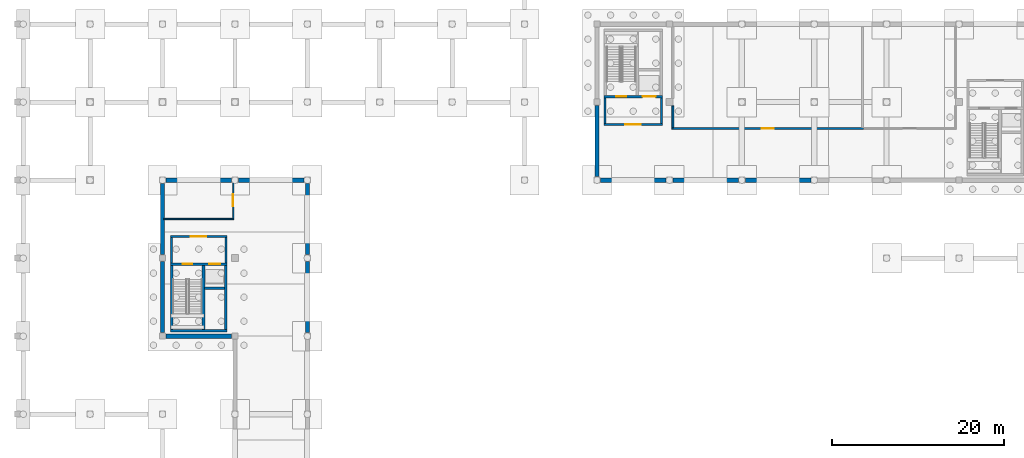
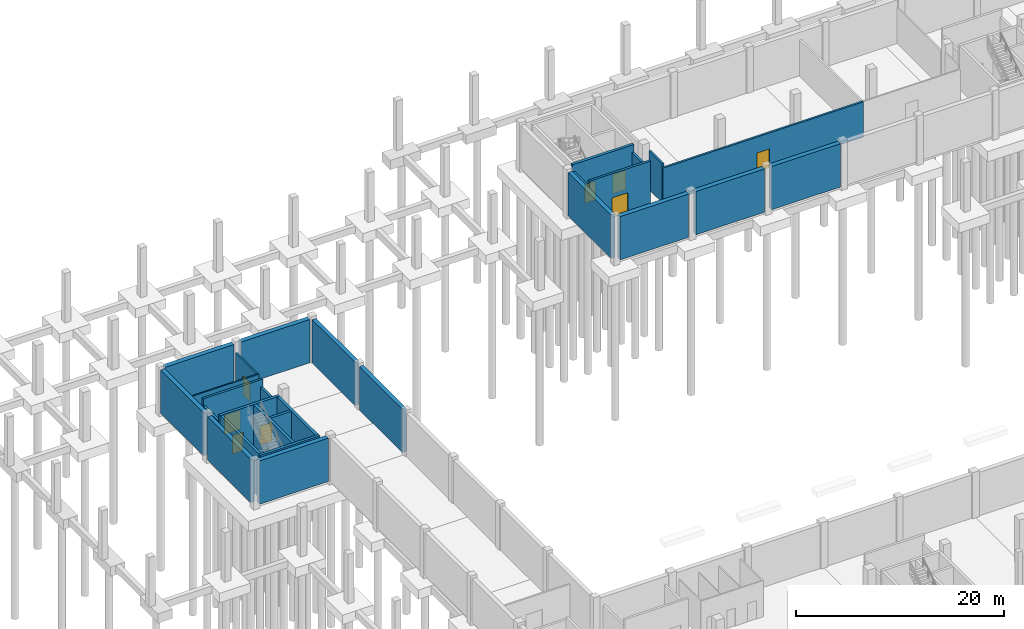
# One storey, part 9 of 18: 28 walls, 8 doors, 8 openings.
"""IFC4 building model written with IfcOpenShell, lengths in metres."""

from ifc_helpers import new_model, si_unit, direction, frame, frame_2d, origin, place, context, subcontext, project, spatial, rectangle, extrude, material, layer, layer_set, type_object, element, fill, save


model = new_model("IFC4")

# Units and contexts
model_context = context("Model", 3, precision=1e-05, world=origin(), true_north=direction((0.0, 1.0)))
body_context = subcontext(model_context, "Body", "Model", "MODEL_VIEW")
ifc_project = project(units=[si_unit("LENGTHUNIT", "METRE"), si_unit("AREAUNIT", "SQUARE_METRE"), si_unit("VOLUMEUNIT", "CUBIC_METRE"), si_unit("PLANEANGLEUNIT", "RADIAN"), si_unit("MASSUNIT", "GRAM", prefix="KILO")], contexts=[model_context])

# Site, building, storey
site_placement = place(None, origin())
site = spatial("IfcSite", under=ifc_project, at=site_placement, CompositionType="ELEMENT")
building_placement = place(site_placement, origin())
building = spatial("IfcBuilding", under=site, at=building_placement, Name="Khurvash Pelagic Aquarium", CompositionType="ELEMENT")
storey_placement = place(building_placement, frame((0.0, 0.0, -5.39990234375)))
storey = spatial("IfcBuildingStorey", under=building, at=storey_placement, Name="B1", CompositionType="ELEMENT", Elevation=-5.39990234375)

# Wall, opening, door
ifc_material_1 = material(Name="AAC blockwork", Category="masonry")
ifc_layer_1 = layer(ifc_material_1, 0.155029296875)
ifc_layer_set_1 = layer_set([ifc_layer_1], Name="AAC blockwork")
wall_type_1 = type_object("IfcWallType", Name="PW-155", PredefinedType="PARTITIONING", material=ifc_layer_set_1)
wall_1_placement = place(storey_placement, frame((25.0, 79.626953125, 0.0), z_axis=(0.0, 0.0, 1.0), x_axis=(0.0, 1.0, 0.0)))
wall_1 = element("IfcWall", 1, at=wall_1_placement, inside=storey, type_object=wall_type_1, Name="B1 Auditorium Understage Plant Room Partition Wall PW-155", PredefinedType="PARTITIONING", context=body_context, shape_type="SweptSolid", body=[
    extrude(rectangle(XDim=4.14501953125, YDim=0.155029296875, at=frame_2d((2.072509765625, 0.0))), origin(), (0.0, 0.0, 1.0), 4.1298828125),
])
opening_1_placement = place(wall_1_placement, frame((1.3720703125, 0.0, 0.0)))
opening_1 = element("IfcOpeningElement", 2, at=opening_1_placement, cuts=wall_1, Name="Opening FD-03", PredefinedType="OPENING", context=body_context, shape_type="SweptSolid", body=[
    extrude(rectangle(XDim=1.39990234375, YDim=2.25, at=frame_2d((0.699951171875, 1.125))), frame((0.0, 0.08740234375, 0.0), z_axis=(0.0, -1.0, 0.0), x_axis=(1.0, 0.0, 0.0)), (0.0, 0.0, 1.0), 0.175048828125),
])
ifc_material_2 = material(Name="Galvanised steel plant fire door", Category="steel")
door_type_1 = type_object("IfcDoorType", Name="FD-03", OperationType="NOTDEFINED", PredefinedType="DOOR", material=ifc_material_2)
door_1_placement = place(opening_1_placement, origin())
door_1 = element("IfcDoor", 3, at=door_1_placement, inside=storey, type_object=door_type_1, Name="DR-0020", OperationType="SINGLE_SWING_LEFT", OverallHeight=2.25, OverallWidth=1.39990234375, PredefinedType="DOOR", context=body_context, shape_type="SweptSolid", body=[
    extrude(rectangle(XDim=1.39990234375, YDim=2.25, at=frame_2d((0.699951171875, 1.125))), frame((0.0, 0.02490234375, 0.0), z_axis=(0.0, -1.0, 0.0), x_axis=(1.0, 0.0, 0.0)), (0.0, 0.0, 1.0), 0.050048828125),
])
fill(opening_1, door_1)

# Wall
wall_2_placement = place(storey_placement, frame((16.922119140625, 79.550048828125, 0.0), z_axis=(0.0, 0.0, 1.0), x_axis=(1.0, 0.0, 0.0)))
element("IfcWall", 4, at=wall_2_placement, inside=storey, type_object=wall_type_1, Name="B1 Auditorium Understage Plant Room Partition Wall PW-155", PredefinedType="PARTITIONING", context=body_context, shape_type="SweptSolid", body=[
    extrude(rectangle(XDim=8.15576171875, YDim=0.155029296875, at=frame_2d((4.077880859375, 0.0))), origin(), (0.0, 0.0, 1.0), 4.1298828125),
])

# Wall, opening, door
ifc_layer_2 = layer(ifc_material_1, 0.215087890625)
ifc_layer_set_2 = layer_set([ifc_layer_2], Name="AAC blockwork")
wall_type_2 = type_object("IfcWallType", Name="PW-215", PredefinedType="PARTITIONING", material=ifc_layer_set_2)
wall_3_placement = place(storey_placement, frame((75.89208984375, 90.050048828125, 0.0), z_axis=(0.0, 0.0, 1.0), x_axis=(1.0, 0.0, 0.0)))
wall_3 = element("IfcWall", 5, at=wall_3_placement, inside=storey, type_object=wall_type_2, Name="B1 Quarantine LSS Skid Plant Room Partition Wall PW-215", PredefinedType="PARTITIONING", context=body_context, shape_type="SweptSolid", body=[
    extrude(rectangle(XDim=22.2158203125, YDim=0.215087890625, at=frame_2d((11.10791015625, 0.0))), origin(), (0.0, 0.0, 1.0), 4.1298828125),
])
opening_2_placement = place(wall_3_placement, frame((10.407958984375, 0.0, 0.0)))
opening_2 = element("IfcOpeningElement", 6, at=opening_2_placement, cuts=wall_3, Name="Opening FD-03", PredefinedType="OPENING", context=body_context, shape_type="SweptSolid", body=[
    extrude(rectangle(XDim=1.39990234375, YDim=2.25, at=frame_2d((0.699951171875, 1.125))), frame((0.0, 0.11767578125, 0.0), z_axis=(0.0, -1.0, 0.0), x_axis=(1.0, 0.0, 0.0)), (0.0, 0.0, 1.0), 0.235107421875),
])
door_2_placement = place(opening_2_placement, origin())
door_2 = element("IfcDoor", 7, at=door_2_placement, inside=storey, type_object=door_type_1, Name="DR-0021", OperationType="SINGLE_SWING_RIGHT", OverallHeight=2.25, OverallWidth=1.39990234375, PredefinedType="DOOR", context=body_context, shape_type="SweptSolid", body=[
    extrude(rectangle(XDim=1.39990234375, YDim=2.25, at=frame_2d((0.699951171875, 1.125))), frame((0.0, 0.02490234375, 0.0), z_axis=(0.0, -1.0, 0.0), x_axis=(1.0, 0.0, 0.0)), (0.0, 0.0, 1.0), 0.050048828125),
])
fill(opening_2, door_2)

# Wall
wall_4_placement = place(storey_placement, frame((76.0, 90.156982421875, 0.0), z_axis=(0.0, 0.0, 1.0), x_axis=(0.0, 1.0, 0.0)))
element("IfcWall", 8, at=wall_4_placement, inside=storey, type_object=wall_type_2, Name="B1 Quarantine LSS Skid Plant Room Partition Wall PW-215", PredefinedType="PARTITIONING", context=body_context, shape_type="SweptSolid", body=[
    extrude(rectangle(XDim=2.5029296875, YDim=0.215087890625, at=frame_2d((1.25146484375, 0.0))), origin(), (0.0, 0.0, 1.0), 4.52978515625),
])

# Wall, opening, door
ifc_layer_3 = layer(ifc_material_1, 0.25)
ifc_layer_set_3 = layer_set([ifc_layer_3], Name="AAC blockwork")
wall_type_3 = type_object("IfcWallType", Name="PW-250", PredefinedType="PARTITIONING", material=ifc_layer_set_3)
wall_5_placement = place(storey_placement, frame((68.0, 90.52490234375, 0.0), z_axis=(0.0, 0.0, 1.0), x_axis=(1.0, 0.0, 0.0)))
wall_5 = element("IfcWall", 9, at=wall_5_placement, inside=storey, type_object=wall_type_3, Name="B1 Core C4 Lobby Front Fire Wall PW-250", PredefinedType="PARTITIONING", context=body_context, shape_type="SweptSolid", body=[
    extrude(rectangle(XDim=6.800048828125, YDim=0.25, at=frame_2d((3.39990234375, 0.0))), origin(), (0.0, 0.0, 1.0), 5.079833984375),
])
opening_3_placement = place(wall_5_placement, frame((2.5, 0.0, 0.0)))
opening_3 = element("IfcOpeningElement", 10, at=opening_3_placement, cuts=wall_5, Name="Opening FD-02", PredefinedType="OPENING", context=body_context, shape_type="SweptSolid", body=[
    extrude(rectangle(XDim=1.800048828125, YDim=2.25, at=frame_2d((0.89990234375, 1.125))), frame((0.0, 0.135009765625, 0.0), z_axis=(0.0, -1.0, 0.0), x_axis=(1.0, 0.0, 0.0)), (0.0, 0.0, 1.0), 0.27001953125),
])
ifc_material_3 = material(Name="Galvanised steel double fire door", Category="steel")
door_type_2 = type_object("IfcDoorType", Name="FD-02", OperationType="DOUBLE_DOOR_SINGLE_SWING", PredefinedType="DOOR", material=ifc_material_3)
door_3_placement = place(opening_3_placement, frame((1.800048828125, 0.0, 0.0), z_axis=(0.0, 0.0, 1.0), x_axis=(-1.0, 0.0, 0.0)))
door_3 = element("IfcDoor", 11, at=door_3_placement, inside=storey, type_object=door_type_2, Name="DR-0029", OperationType="DOUBLE_DOOR_SINGLE_SWING", OverallHeight=2.25, OverallWidth=1.800048828125, PredefinedType="DOOR", context=body_context, shape_type="SweptSolid", body=[
    extrude(rectangle(XDim=1.800048828125, YDim=2.25, at=frame_2d((0.89990234375, 1.125))), frame((0.0, 0.02490234375, 0.0), z_axis=(0.0, -1.0, 0.0), x_axis=(1.0, 0.0, 0.0)), (0.0, 0.0, 1.0), 0.050048828125),
])
fill(opening_3, door_3)

# Walls
for number, where, z_axis, x_axis, name in (
    (12, (68.125, 90.64990234375, 0.0), (0.0, 0.0, 1.0), (0.0, 1.0, 0.0), "B1 Core C4 Lobby West Fire Wall PW-250"),
    (13, (74.675048828125, 90.64990234375, 0.0), (0.0, 0.0, 1.0), (0.0, 1.0, 0.0), "B1 Core C4 Lobby East Fire Wall PW-250"),
):
    element("IfcWall", number, at=place(storey_placement, frame(where, z_axis=z_axis, x_axis=x_axis)), inside=storey, type_object=wall_type_3, Name=name, PredefinedType="PARTITIONING", context=body_context, shape_type="SweptSolid", body=[
        extrude(rectangle(XDim=2.9501953125, YDim=0.25, at=frame_2d((1.47509765625, 0.0))), origin(), (0.0, 0.0, 1.0), 4.22998046875),
    ])

# Wall, opening, door
wall_6_placement = place(storey_placement, frame((17.699951171875, 77.52490234375, 0.0), z_axis=(0.0, 0.0, 1.0), x_axis=(1.0, 0.0, 0.0)))
wall_6 = element("IfcWall", 14, at=wall_6_placement, inside=storey, type_object=wall_type_3, Name="B1 Core C5 Lobby Front Fire Wall PW-250", PredefinedType="PARTITIONING", context=body_context, shape_type="SweptSolid", body=[
    extrude(rectangle(XDim=6.60009765625, YDim=0.25, at=frame_2d((3.300048828125, 0.0))), origin(), (0.0, 0.0, 1.0), 5.079833984375),
])
opening_4_placement = place(wall_6_placement, frame((2.39990234375, 0.0, 0.0)))
opening_4 = element("IfcOpeningElement", 15, at=opening_4_placement, cuts=wall_6, Name="Opening FD-02", PredefinedType="OPENING", context=body_context, shape_type="SweptSolid", body=[
    extrude(rectangle(XDim=1.800048828125, YDim=2.25, at=frame_2d((0.89990234375, 1.125))), frame((0.0, 0.135009765625, 0.0), z_axis=(0.0, -1.0, 0.0), x_axis=(1.0, 0.0, 0.0)), (0.0, 0.0, 1.0), 0.27001953125),
])
door_4_placement = place(opening_4_placement, origin())
door_4 = element("IfcDoor", 16, at=door_4_placement, inside=storey, type_object=door_type_2, Name="DR-0030", OperationType="DOUBLE_DOOR_SINGLE_SWING", OverallHeight=2.25, OverallWidth=1.800048828125, PredefinedType="DOOR", context=body_context, shape_type="SweptSolid", body=[
    extrude(rectangle(XDim=1.800048828125, YDim=2.25, at=frame_2d((0.89990234375, 1.125))), frame((0.0, 0.02490234375, 0.0), z_axis=(0.0, -1.0, 0.0), x_axis=(1.0, 0.0, 0.0)), (0.0, 0.0, 1.0), 0.050048828125),
])
fill(opening_4, door_4)

# Walls
for number, where, z_axis, x_axis, name in (
    (17, (17.824951171875, 74.449951171875, 0.0), (0.0, 0.0, 1.0), (0.0, 1.0, 0.0), "B1 Core C5 Lobby West Fire Wall PW-250"),
    (18, (24.175048828125, 74.449951171875, 0.0), (0.0, 0.0, 1.0), (0.0, 1.0, 0.0), "B1 Core C5 Lobby East Fire Wall PW-250"),
):
    element("IfcWall", number, at=place(storey_placement, frame(where, z_axis=z_axis, x_axis=x_axis)), inside=storey, type_object=wall_type_3, Name=name, PredefinedType="PARTITIONING", context=body_context, shape_type="SweptSolid", body=[
        extrude(rectangle(XDim=2.949951171875, YDim=0.25, at=frame_2d((1.47509765625, 0.0))), origin(), (0.0, 0.0, 1.0), 4.22998046875),
    ])
ifc_material_4 = material(Name="Concrete C40/50", Category="concrete")
ifc_layer_4 = layer(ifc_material_4, 0.449951171875)
ifc_layer_set_4 = layer_set([ifc_layer_4], Name="Concrete C40/50")
wall_type_4 = type_object("IfcWallType", Name="RW-450", PredefinedType="USERDEFINED", material=ifc_layer_set_4)
for number, where, z_axis, x_axis, name in (
    (19, (16.800048828125, 66.35009765625, 0.0), (0.0, 0.0, 1.0), (0.0, 1.0, 0.0), "B1 Perimeter Waterproofed Retaining Wall RW-450"),
    (20, (16.800048828125, 75.39990234375, 0.0), (0.0, 0.0, 1.0), (0.0, 1.0, 0.0), "B1 Perimeter Waterproofed Retaining Wall RW-450"),
    (21, (33.60009765625, 83.64990234375, 0.0), (0.0, 0.0, 1.0), (0.0, -1.0, 0.0), "B1 Perimeter Waterproofed Retaining Wall RW-450"),
    (22, (33.60009765625, 74.60009765625, 0.0), (0.0, 0.0, 1.0), (0.0, -1.0, 0.0), "B1 Perimeter Waterproofed Retaining Wall RW-450"),
    (23, (67.199951171875, 84.449951171875, 0.0), (0.0, 0.0, 1.0), (0.0, 1.0, 0.0), "B1 Perimeter Waterproofed Retaining Wall RW-450"),
):
    element("IfcWall", number, at=place(storey_placement, frame(where, z_axis=z_axis, x_axis=x_axis)), inside=storey, type_object=wall_type_4, Name=name, ObjectType="RETAINING WALL", PredefinedType="USERDEFINED", context=body_context, shape_type="SweptSolid", body=[
        extrude(rectangle(XDim=8.25, YDim=0.449951171875, at=frame_2d((4.125, 0.0))), origin(), (0.0, 0.0, 1.0), 5.079833984375),
    ])
ifc_material_5 = material(Name="Water-retaining concrete C40/50", Category="concrete")
ifc_layer_5 = layer(ifc_material_5, 0.5)
ifc_layer_set_5 = layer_set([ifc_layer_5], Name="Water-retaining concrete C40/50")
wall_type_5 = type_object("IfcWallType", Name="RW-500", PredefinedType="USERDEFINED", material=ifc_layer_set_5)
for number, where, z_axis, x_axis, name in (
    (24, (24.800048828125, 65.949951171875, 0.0), (0.0, 0.0, 1.0), (-1.0, 0.0, 0.0), "B1 Perimeter Waterproofed Retaining Wall RW-500"),
    (25, (17.199951171875, 84.050048828125, 0.0), (0.0, 0.0, 1.0), (1.0, 0.0, 0.0), "B1 Perimeter Waterproofed Retaining Wall RW-500"),
):
    element("IfcWall", number, at=place(storey_placement, frame(where, z_axis=z_axis, x_axis=x_axis)), inside=storey, type_object=wall_type_5, Name=name, ObjectType="RETAINING WALL", PredefinedType="USERDEFINED", context=body_context, shape_type="SweptSolid", body=[
        extrude(rectangle(XDim=7.60009765625, YDim=0.5, at=frame_2d((3.800048828125, 0.0))), origin(), (0.0, 0.0, 1.0), 5.079833984375),
    ])
wall_7_placement = place(storey_placement, frame((25.60009765625, 84.050048828125, 0.0), z_axis=(0.0, 0.0, 1.0), x_axis=(1.0, 0.0, 0.0)))
element("IfcWall", 26, at=wall_7_placement, inside=storey, type_object=wall_type_5, Name="B1 Perimeter Waterproofed Retaining Wall RW-500", ObjectType="RETAINING WALL", PredefinedType="USERDEFINED", context=body_context, shape_type="SweptSolid", body=[
    extrude(rectangle(XDim=7.599853515625, YDim=0.5, at=frame_2d((3.7998046875, 0.0))), origin(), (0.0, 0.0, 1.0), 5.079833984375),
])
for number, where, z_axis, x_axis, name in (
    (27, (92.0, 84.050048828125, 0.0), (0.0, 0.0, 1.0), (-1.0, 0.0, 0.0), "B1 Perimeter Waterproofed Retaining Wall RW-500"),
    (28, (83.60009765625, 84.050048828125, 0.0), (0.0, 0.0, 1.0), (-1.0, 0.0, 0.0), "B1 Perimeter Waterproofed Retaining Wall RW-500"),
):
    element("IfcWall", number, at=place(storey_placement, frame(where, z_axis=z_axis, x_axis=x_axis)), inside=storey, type_object=wall_type_5, Name=name, ObjectType="RETAINING WALL", PredefinedType="USERDEFINED", context=body_context, shape_type="SweptSolid", body=[
        extrude(rectangle(XDim=7.60009765625, YDim=0.5, at=frame_2d((3.800048828125, 0.0))), origin(), (0.0, 0.0, 1.0), 5.079833984375),
    ])
wall_8_placement = place(storey_placement, frame((75.199951171875, 84.050048828125, 0.0), z_axis=(0.0, 0.0, 1.0), x_axis=(-1.0, 0.0, 0.0)))
element("IfcWall", 29, at=wall_8_placement, inside=storey, type_object=wall_type_5, Name="B1 Perimeter Waterproofed Retaining Wall RW-500", ObjectType="RETAINING WALL", PredefinedType="USERDEFINED", context=body_context, shape_type="SweptSolid", body=[
    extrude(rectangle(XDim=7.599853515625, YDim=0.5, at=frame_2d((3.7998046875, 0.0))), origin(), (0.0, 0.0, 1.0), 5.079833984375),
])
ifc_layer_6 = layer(ifc_material_4, 0.27490234375)
ifc_layer_set_6 = layer_set([ifc_layer_6], Name="Concrete C40/50")
wall_type_6 = type_object("IfcWallType", Name="SW-275", PredefinedType="SHEAR", material=ifc_layer_set_6)
wall_9_placement = place(storey_placement, frame((21.699951171875, 71.512939453125, 0.0), z_axis=(0.0, 0.0, 1.0), x_axis=(1.0, 0.0, 0.0)))
element("IfcWall", 30, at=wall_9_placement, inside=storey, type_object=wall_type_6, Name="B1 Lift PL-02 Shaft Rear Shear Wall SW-275", PredefinedType="SHEAR", context=body_context, shape_type="SweptSolid", body=[
    extrude(rectangle(XDim=2.300048828125, YDim=0.27490234375, at=frame_2d((1.14990234375, 0.0))), origin(), (0.0, 0.0, 1.0), 5.079833984375),
])

# Wall, openings, doors
ifc_layer_7 = layer(ifc_material_4, 0.300048828125)
ifc_layer_set_7 = layer_set([ifc_layer_7], Name="Concrete C40/50")
wall_type_7 = type_object("IfcWallType", Name="SW-300", PredefinedType="SHEAR", material=ifc_layer_set_7)
wall_10_placement = place(storey_placement, frame((68.0, 93.75, 0.0), z_axis=(0.0, 0.0, 1.0), x_axis=(1.0, 0.0, 0.0)))
wall_10 = element("IfcWall", 31, at=wall_10_placement, inside=storey, type_object=wall_type_7, Name="B1 Core C4 South Shear Wall SW-300", PredefinedType="SHEAR", context=body_context, shape_type="SweptSolid", body=[
    extrude(rectangle(XDim=6.800048828125, YDim=0.300048828125, at=frame_2d((3.39990234375, 0.0))), origin(), (0.0, 0.0, 1.0), 5.079833984375),
])
opening_5_placement = place(wall_10_placement, frame((1.425048828125, 0.0, 0.0)))
opening_5 = element("IfcOpeningElement", 32, at=opening_5_placement, cuts=wall_10, Name="Opening FD-01", PredefinedType="OPENING", context=body_context, shape_type="SweptSolid", body=[
    extrude(rectangle(XDim=1.14990234375, YDim=2.199951171875, at=frame_2d((0.574951171875, 1.10009765625))), frame((0.0, 0.16015625, 0.0), z_axis=(0.0, -1.0, 0.0), x_axis=(1.0, 0.0, 0.0)), (0.0, 0.0, 1.0), 0.320068359375),
])
opening_6_placement = place(wall_10_placement, frame((4.5, 0.0, 0.0)))
opening_6 = element("IfcOpeningElement", 33, at=opening_6_placement, cuts=wall_10, Name="Opening LD-03", PredefinedType="OPENING", context=body_context, shape_type="SweptSolid", body=[
    extrude(rectangle(XDim=1.5, YDim=2.300048828125, at=frame_2d((0.75, 1.14990234375))), frame((0.0, 0.16015625, 0.0), z_axis=(0.0, -1.0, 0.0), x_axis=(1.0, 0.0, 0.0)), (0.0, 0.0, 1.0), 0.320068359375),
])
ifc_material_6 = material(Name="Galvanised steel fire door", Category="steel")
door_type_3 = type_object("IfcDoorType", Name="FD-01", OperationType="NOTDEFINED", PredefinedType="DOOR", material=ifc_material_6)
door_5_placement = place(opening_5_placement, origin())
door_5 = element("IfcDoor", 34, at=door_5_placement, inside=storey, type_object=door_type_3, Name="DR-0004", OperationType="SINGLE_SWING_LEFT", OverallHeight=2.199951171875, OverallWidth=1.14990234375, PredefinedType="DOOR", context=body_context, shape_type="SweptSolid", body=[
    extrude(rectangle(XDim=1.14990234375, YDim=2.199951171875, at=frame_2d((0.574951171875, 1.10009765625))), frame((0.0, 0.02490234375, 0.0), z_axis=(0.0, -1.0, 0.0), x_axis=(1.0, 0.0, 0.0)), (0.0, 0.0, 1.0), 0.050048828125),
])
fill(opening_5, door_5)
ifc_material_7 = material(Name="Brushed stainless steel 316 goods lift landing door", Category="steel")
door_type_4 = type_object("IfcDoorType", Name="LD-03", OperationType="DOUBLE_DOOR_SLIDING", PredefinedType="DOOR", material=ifc_material_7)
door_6_placement = place(opening_6_placement, origin())
door_6 = element("IfcDoor", 35, at=door_6_placement, inside=storey, type_object=door_type_4, Name="DR-0010", OperationType="DOUBLE_DOOR_SLIDING", OverallHeight=2.300048828125, OverallWidth=1.5, PredefinedType="DOOR", context=body_context, shape_type="SweptSolid", body=[
    extrude(rectangle(XDim=1.5, YDim=2.300048828125, at=frame_2d((0.75, 1.14990234375))), frame((0.0, 0.02490234375, 0.0), z_axis=(0.0, -1.0, 0.0), x_axis=(1.0, 0.0, 0.0)), (0.0, 0.0, 1.0), 0.050048828125),
])
fill(opening_6, door_6)

# Wall
wall_11_placement = place(storey_placement, frame((17.699951171875, 66.60009765625, 0.0), z_axis=(0.0, 0.0, 1.0), x_axis=(1.0, 0.0, 0.0)))
element("IfcWall", 36, at=wall_11_placement, inside=storey, type_object=wall_type_7, Name="B1 Core C5 South Shear Wall SW-300", PredefinedType="SHEAR", context=body_context, shape_type="SweptSolid", body=[
    extrude(rectangle(XDim=6.60009765625, YDim=0.300048828125, at=frame_2d((3.300048828125, 0.0))), origin(), (0.0, 0.0, 1.0), 5.079833984375),
])

# Wall, openings, doors
wall_12_placement = place(storey_placement, frame((17.699951171875, 74.300048828125, 0.0), z_axis=(0.0, 0.0, 1.0), x_axis=(1.0, 0.0, 0.0)))
wall_12 = element("IfcWall", 37, at=wall_12_placement, inside=storey, type_object=wall_type_7, Name="B1 Core C5 North Shear Wall SW-300", PredefinedType="SHEAR", context=body_context, shape_type="SweptSolid", body=[
    extrude(rectangle(XDim=6.60009765625, YDim=0.300048828125, at=frame_2d((3.300048828125, 0.0))), origin(), (0.0, 0.0, 1.0), 5.079833984375),
])
opening_7_placement = place(wall_12_placement, frame((1.425048828125, 0.0, 0.0)))
opening_7 = element("IfcOpeningElement", 38, at=opening_7_placement, cuts=wall_12, Name="Opening FD-01", PredefinedType="OPENING", context=body_context, shape_type="SweptSolid", body=[
    extrude(rectangle(XDim=1.14990234375, YDim=2.199951171875, at=frame_2d((0.574951171875, 1.10009765625))), frame((0.0, 0.16015625, 0.0), z_axis=(0.0, -1.0, 0.0), x_axis=(1.0, 0.0, 0.0)), (0.0, 0.0, 1.0), 0.320068359375),
])
opening_8_placement = place(wall_12_placement, frame((4.5, 0.0, 0.0)))
opening_8 = element("IfcOpeningElement", 39, at=opening_8_placement, cuts=wall_12, Name="Opening LD-02", PredefinedType="OPENING", context=body_context, shape_type="SweptSolid", body=[
    extrude(rectangle(XDim=1.300048828125, YDim=2.199951171875, at=frame_2d((0.64990234375, 1.10009765625))), frame((0.0, 0.16015625, 0.0), z_axis=(0.0, -1.0, 0.0), x_axis=(1.0, 0.0, 0.0)), (0.0, 0.0, 1.0), 0.320068359375),
])
door_7_placement = place(opening_7_placement, frame((1.14990234375, 0.0, 0.0), z_axis=(0.0, 0.0, 1.0), x_axis=(-1.0, 0.0, 0.0)))
door_7 = element("IfcDoor", 40, at=door_7_placement, inside=storey, type_object=door_type_3, Name="DR-0005", OperationType="SINGLE_SWING_LEFT", OverallHeight=2.199951171875, OverallWidth=1.14990234375, PredefinedType="DOOR", context=body_context, shape_type="SweptSolid", body=[
    extrude(rectangle(XDim=1.14990234375, YDim=2.199951171875, at=frame_2d((0.574951171875, 1.10009765625))), frame((0.0, 0.02490234375, 0.0), z_axis=(0.0, -1.0, 0.0), x_axis=(1.0, 0.0, 0.0)), (0.0, 0.0, 1.0), 0.050048828125),
])
fill(opening_7, door_7)
ifc_material_8 = material(Name="Brushed stainless steel 316 lift landing door", Category="steel")
door_type_5 = type_object("IfcDoorType", Name="LD-02", OperationType="DOUBLE_DOOR_SLIDING", PredefinedType="DOOR", material=ifc_material_8)
door_8_placement = place(opening_8_placement, origin())
door_8 = element("IfcDoor", 41, at=door_8_placement, inside=storey, type_object=door_type_5, Name="DR-0011", OperationType="DOUBLE_DOOR_SLIDING", OverallHeight=2.199951171875, OverallWidth=1.300048828125, PredefinedType="DOOR", context=body_context, shape_type="SweptSolid", body=[
    extrude(rectangle(XDim=1.300048828125, YDim=2.199951171875, at=frame_2d((0.64990234375, 1.10009765625))), frame((0.0, 0.02490234375, 0.0), z_axis=(0.0, -1.0, 0.0), x_axis=(1.0, 0.0, 0.0)), (0.0, 0.0, 1.0), 0.050048828125),
])
fill(opening_8, door_8)

# Walls
for number, where, z_axis, x_axis, name in (
    (42, (17.85009765625, 66.75, 0.0), (0.0, 0.0, 1.0), (0.0, 1.0, 0.0), "B1 Core C5 West Shear Wall SW-300"),
    (43, (24.14990234375, 66.75, 0.0), (0.0, 0.0, 1.0), (0.0, 1.0, 0.0), "B1 Core C5 East Shear Wall SW-300"),
    (44, (21.550048828125, 66.75, 0.0), (0.0, 0.0, 1.0), (0.0, 1.0, 0.0), "B1 Core C5 Divider Shear Wall SW-300"),
):
    element("IfcWall", number, at=place(storey_placement, frame(where, z_axis=z_axis, x_axis=x_axis)), inside=storey, type_object=wall_type_7, Name=name, PredefinedType="SHEAR", context=body_context, shape_type="SweptSolid", body=[
        extrude(rectangle(XDim=7.39990234375, YDim=0.300048828125, at=frame_2d((3.699951171875, 0.0))), origin(), (0.0, 0.0, 1.0), 5.079833984375),
    ])

save(model, "model.ifc")
